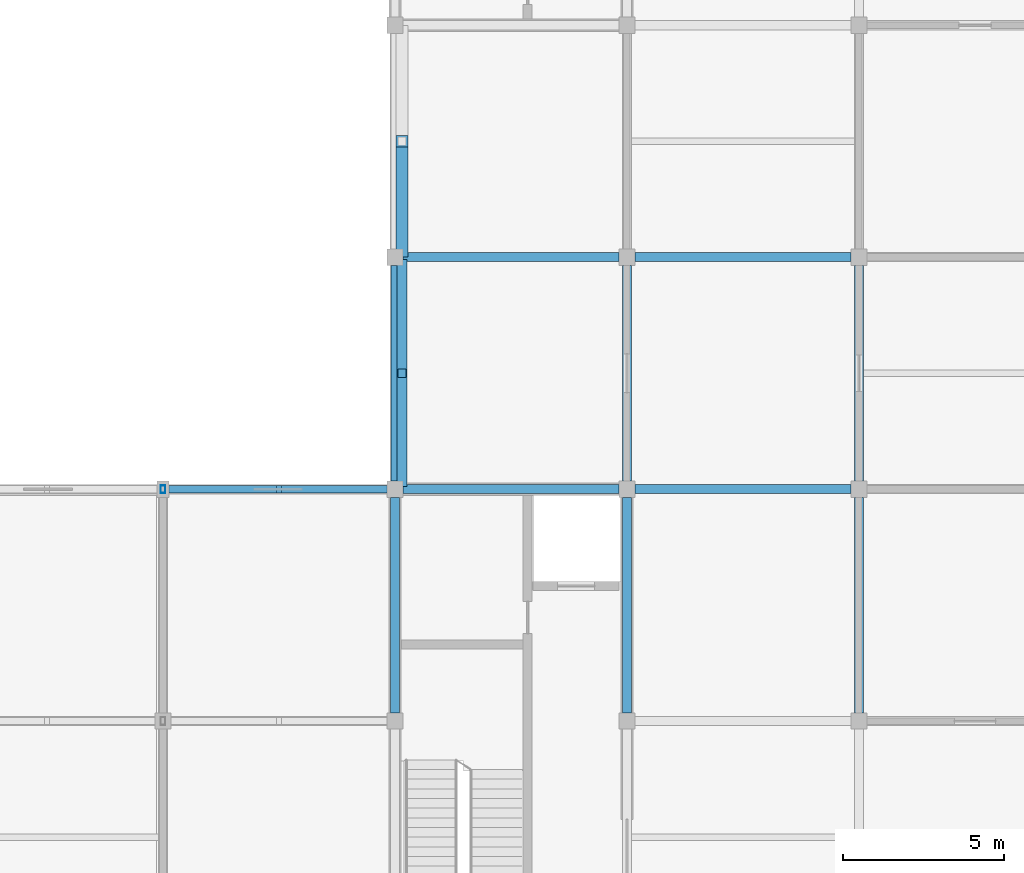
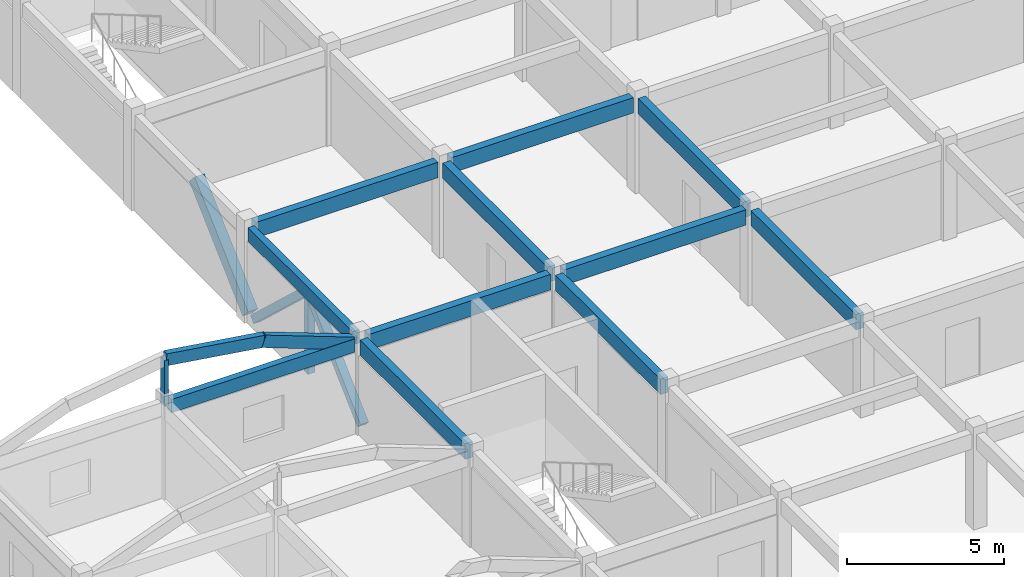
# One storey, part 4 of 10: 11 beams, 7 members.
"""IFC4 building model written with IfcOpenShell, lengths in metres."""

from ifc_helpers import new_model, si_unit, direction, frame, origin, origin_2d, place, context, subcontext, project, spatial, rectangle, hollow_rectangle, extrude, material, material_profile, profile_set, type_object, element, save


model = new_model("IFC4")

# Units and contexts
model_context = context("Model", 3, precision=1e-05, world=origin(), true_north=direction((0.0, 1.0)))
body_context = subcontext(model_context, "Body", "Model", "MODEL_VIEW")
ifc_project = project(units=[si_unit("LENGTHUNIT", "METRE"), si_unit("AREAUNIT", "SQUARE_METRE"), si_unit("VOLUMEUNIT", "CUBIC_METRE"), si_unit("PLANEANGLEUNIT", "RADIAN"), si_unit("MASSUNIT", "GRAM", prefix="KILO")], contexts=[model_context])

# Site, building, storey
site_placement = place(None, origin())
site = spatial("IfcSite", under=ifc_project, at=site_placement, CompositionType="ELEMENT")
building_placement = place(site_placement, origin())
building = spatial("IfcBuilding", under=site, at=building_placement, Name="Cendaluz Park School", CompositionType="ELEMENT")
storey_placement = place(building_placement, frame((0.0, 0.0, 51.0)))
storey = spatial("IfcBuildingStorey", under=building, at=storey_placement, Name="L12", CompositionType="ELEMENT", Elevation=51.0)

# Beams
ifc_material_1 = material(Name="Glulam GL28h", Category="wood")
ifc_material_profile_1 = material_profile(ifc_material_1, rectangle(XDim=0.280029296875, YDim=0.60009765625, at=origin_2d()), Name="GL28h 280x600", Category="wood")
ifc_profile_set_1 = profile_set([ifc_material_profile_1], Name="Glulam GL28h")
beam_type_1 = type_object("IfcBeamType", Name="BM-GL02", PredefinedType="BEAM", material=ifc_profile_set_1)
for number, where, z_axis, x_axis, name in (
    (1, (65.050048828125, 28.800048828125, 3.389892578125), (1.0, 0.0, 0.0), (0.0, 1.0, 0.0), "BM-L12-BMGL02-0011"),
    (2, (65.050048828125, 36.0, 3.389892578125), (1.0, 0.0, 0.0), (0.0, 1.0, 0.0), "BM-L12-BMGL02-0012"),
    (3, (72.25, 28.800048828125, 3.389892578125), (1.0, 0.0, 0.0), (0.0, 1.0, 0.0), "BM-L12-BMGL02-0019"),
    (4, (72.25, 36.0, 3.389892578125), (1.0, 0.0, 0.0), (0.0, 1.0, 0.0), "BM-L12-BMGL02-0020"),
    (5, (64.800048828125, 21.85009765625, 3.389892578125), (0.0, 1.0, 0.0), (-1.0, 0.0, 0.0), "BM-L12-BMGL02-0066"),
    (6, (72.0, 21.85009765625, 3.389892578125), (0.0, 1.0, 0.0), (-1.0, 0.0, 0.0), "BM-L12-BMGL02-0074"),
    (7, (72.0, 29.050048828125, 3.389892578125), (0.0, 1.0, 0.0), (-1.0, 0.0, 0.0), "BM-L12-BMGL02-0075"),
    (8, (79.199951171875, 21.85009765625, 3.389892578125), (0.0, 1.0, 0.0), (-1.0, 0.0, 0.0), "BM-L12-BMGL02-0082"),
    (9, (79.199951171875, 29.050048828125, 3.389892578125), (0.0, 1.0, 0.0), (-1.0, 0.0, 0.0), "BM-L12-BMGL02-0083"),
):
    element("IfcBeam", number, at=place(storey_placement, frame(where, z_axis=z_axis, x_axis=x_axis)), inside=storey, type_object=beam_type_1, Name=name, PredefinedType="BEAM", context=body_context, shape_type="SweptSolid", body=[
        extrude(rectangle(XDim=0.280029296875, YDim=0.60009765625, at=origin_2d()), origin(), (0.0, 0.0, 1.0), 6.699951171875),
    ])
ifc_material_profile_2 = material_profile(ifc_material_1, rectangle(XDim=0.239990234375, YDim=0.52001953125, at=origin_2d()), Name="GL28h 240x520", Category="wood")
ifc_profile_set_2 = profile_set([ifc_material_profile_2], Name="Glulam GL28h")
beam_type_2 = type_object("IfcBeamType", Name="BM-GL03", PredefinedType="SPANDREL", material=ifc_profile_set_2)
beam_1_placement = place(storey_placement, frame((57.780029296875, 28.800048828125, 3.429931640625), z_axis=(1.0, 0.0, 0.0), x_axis=(0.0, 1.0, 0.0)))
element("IfcBeam", 10, at=beam_1_placement, inside=storey, type_object=beam_type_2, Name="BM-L12-BMGL03-0008", PredefinedType="SPANDREL", context=body_context, shape_type="SweptSolid", body=[
    extrude(rectangle(XDim=0.239990234375, YDim=0.52001953125, at=origin_2d()), origin(), (0.0, 0.0, 1.0), 6.77001953125),
])
beam_2_placement = place(storey_placement, frame((64.800048828125, 29.050048828125, 3.429931640625), z_axis=(0.0, 1.0, 0.0), x_axis=(-1.0, 0.0, 0.0)))
element("IfcBeam", 11, at=beam_2_placement, inside=storey, type_object=beam_type_2, Name="BM-L12-BMGL03-0067", PredefinedType="SPANDREL", context=body_context, shape_type="SweptSolid", body=[
    extrude(rectangle(XDim=0.239990234375, YDim=0.52001953125, at=origin_2d()), origin(), (0.0, 0.0, 1.0), 6.699951171875),
])

# Members
ifc_material_profile_3 = material_profile(ifc_material_1, rectangle(XDim=0.219970703125, YDim=0.4599609375, at=origin_2d()), Name="GL28h 220x460", Category="wood")
ifc_profile_set_3 = profile_set([ifc_material_profile_3], Name="Glulam GL28h")
member_type_1 = type_object("IfcMemberType", Name="MB-CH03", PredefinedType="CHORD", material=ifc_profile_set_3)
member_1_placement = place(storey_placement, frame((57.60009765625, 28.800048828125, 5.2900390625), z_axis=(0.989129862545, 0.0, -0.14704460215), x_axis=(0.0, 1.0, 0.0)))
element("IfcMember", 12, at=member_1_placement, inside=storey, type_object=member_type_1, Name="MB-L12-MBCH03-0031", PredefinedType="CHORD", context=body_context, shape_type="SweptSolid", body=[
    extrude(rectangle(XDim=0.219970703125, YDim=0.4599609375, at=origin_2d()), origin(), (0.0, 0.0, 1.0), 3.639404296875),
])
member_2_placement = place(storey_placement, frame((61.199951171875, 28.800048828125, 4.7548828125), z_axis=(0.936458125495, 0.0, -0.350779388212), x_axis=(0.0, 1.0, 0.0)))
element("IfcMember", 13, at=member_2_placement, inside=storey, type_object=member_type_1, Name="MB-L12-MBCH03-0032", PredefinedType="CHORD", context=body_context, shape_type="SweptSolid", body=[
    extrude(rectangle(XDim=0.219970703125, YDim=0.4599609375, at=origin_2d()), origin(), (0.0, 0.0, 1.0), 3.577392578125),
])
ifc_material_2 = material(Name="Glulam GL32h", Category="wood")
ifc_material_profile_4 = material_profile(ifc_material_2, rectangle(XDim=0.300048828125, YDim=0.300048828125, at=origin_2d()), Name="GL32h 300x300", Category="wood")
ifc_profile_set_4 = profile_set([ifc_material_profile_4], Name="Glulam GL32h")
member_type_2 = type_object("IfcMemberType", Name="MBR-03", PredefinedType="BRACE", material=ifc_profile_set_4)
member_3_placement = place(storey_placement, frame((65.02001953125, 28.97998046875, 0.0), z_axis=(0.0, 0.731267023111, 0.682091299541), x_axis=(-1.0, 0.0, 0.0)))
element("IfcMember", 14, at=member_3_placement, inside=storey, type_object=member_type_2, Name="MB-L12-MBBR03-0001", PredefinedType="BRACE", context=body_context, shape_type="SweptSolid", body=[
    extrude(rectangle(XDim=0.300048828125, YDim=0.300048828125, at=origin_2d()), origin(), (0.0, 0.0, 1.0), 4.6767578125),
])
member_4_placement = place(storey_placement, frame((65.02001953125, 35.820068359375, 0.0), z_axis=(0.0, -0.731291309336, 0.682065261459), x_axis=(1.0, 0.0, 0.0)))
element("IfcMember", 15, at=member_4_placement, inside=storey, type_object=member_type_2, Name="MB-L12-MBBR03-0002", PredefinedType="BRACE", context=body_context, shape_type="SweptSolid", body=[
    extrude(rectangle(XDim=0.300048828125, YDim=0.300048828125, at=origin_2d()), origin(), (0.0, 0.0, 1.0), 4.677001953125),
])
ifc_material_profile_5 = material_profile(ifc_material_2, rectangle(XDim=0.360107421875, YDim=0.52001953125, at=origin_2d()), Name="GL32h 360x520", Category="wood")
ifc_profile_set_5 = profile_set([ifc_material_profile_5], Name="Glulam GL32h")
member_type_3 = type_object("IfcMemberType", Name="MBR-04", PredefinedType="BRACE", material=ifc_profile_set_5)
member_5_placement = place(storey_placement, frame((65.02001953125, 36.179931640625, 0.0), z_axis=(0.0, 0.731291309336, 0.682065261459), x_axis=(-1.0, 0.0, 0.0)))
element("IfcMember", 16, at=member_5_placement, inside=storey, type_object=member_type_3, Name="MB-L12-MBBR04-0007", PredefinedType="BRACE", context=body_context, shape_type="SweptSolid", body=[
    extrude(rectangle(XDim=0.360107421875, YDim=0.52001953125, at=origin_2d()), origin(), (0.0, 0.0, 1.0), 4.677001953125),
])
ifc_material_3 = material(Name="Steel S355", Category="steel")
ifc_material_profile_6 = material_profile(ifc_material_3, hollow_rectangle(XDim=0.14990234375, YDim=0.25, WallThickness=0.010009765625, at=origin_2d()), Name="RHS 250x150x10", Category="steel")
ifc_profile_set_6 = profile_set([ifc_material_profile_6], Name="Steel S355")
member_type_4 = type_object("IfcMemberType", Name="MST-02", PredefinedType="STRUT", material=ifc_profile_set_6)
member_6_placement = place(storey_placement, frame((57.60009765625, 28.800048828125, 3.5), z_axis=(0.0, 0.0, 1.0), x_axis=(1.0, 0.0, 0.0)))
element("IfcMember", 17, at=member_6_placement, inside=storey, type_object=member_type_4, Name="MB-L12-MBST02-0028", PredefinedType="STRUT", context=body_context, shape_type="SweptSolid", body=[
    extrude(hollow_rectangle(XDim=0.14990234375, YDim=0.25, WallThickness=0.010009765625, at=origin_2d()), origin(), (0.0, 0.0, 1.0), 1.7900390625),
])
ifc_material_profile_7 = material_profile(ifc_material_2, rectangle(XDim=0.260009765625, YDim=0.260009765625, at=origin_2d()), Name="GL32h 260x260", Category="wood")
ifc_profile_set_7 = profile_set([ifc_material_profile_7], Name="Glulam GL32h")
member_type_5 = type_object("IfcMemberType", Name="MST-03", PredefinedType="STRUT", material=ifc_profile_set_7)
member_7_placement = place(storey_placement, frame((65.02001953125, 32.39990234375, 0.0), z_axis=(0.0, 0.0, 1.0), x_axis=(1.0, 0.0, 0.0)))
element("IfcMember", 18, at=member_7_placement, inside=storey, type_object=member_type_5, Name="MB-L12-MBST03-0003", PredefinedType="STRUT", context=body_context, shape_type="SweptSolid", body=[
    extrude(rectangle(XDim=0.260009765625, YDim=0.260009765625, at=origin_2d()), origin(), (0.0, 0.0, 1.0), 3.18994140625),
])

save(model, "model.ifc")
